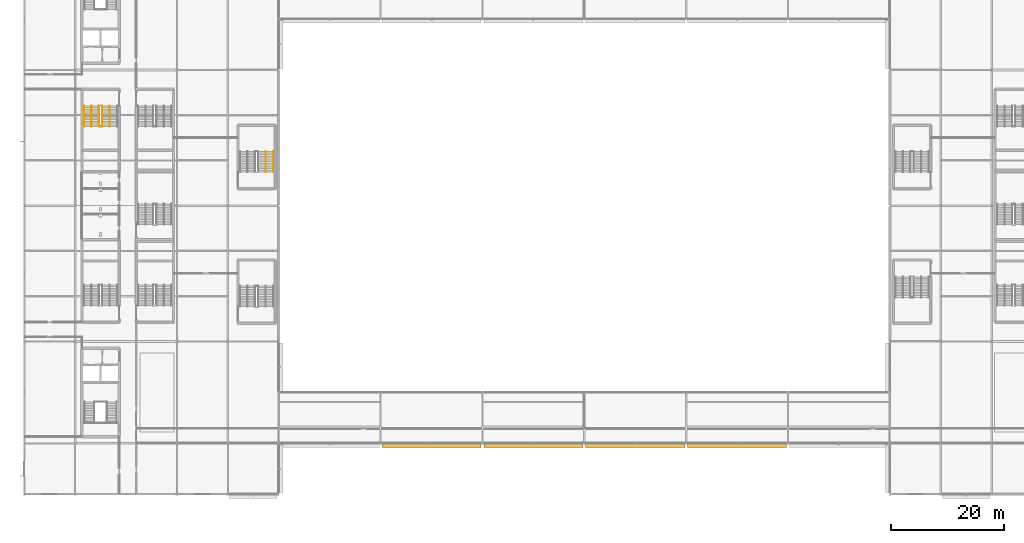
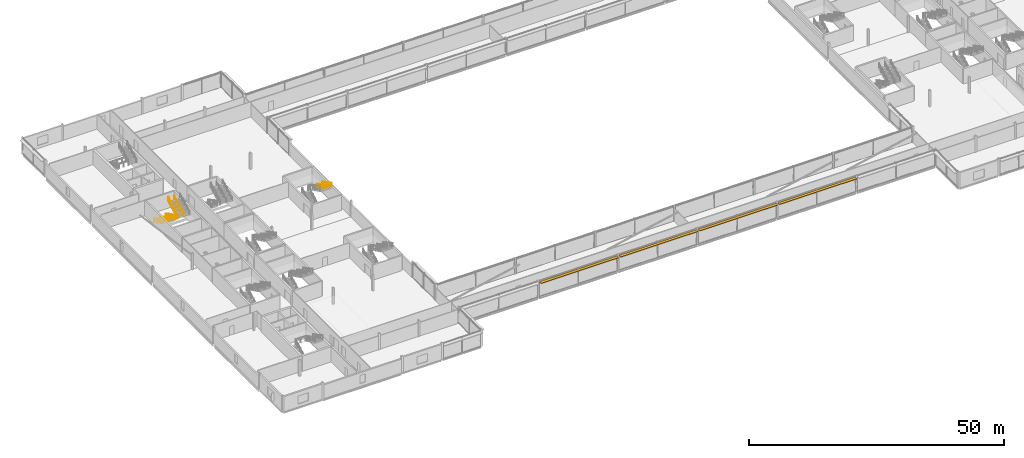
# One storey, part 91 of 98: 6 railings, 4 shading devices.
"""IFC4 building model written with IfcOpenShell, lengths in metres."""

from ifc_helpers import new_model, si_unit, direction, frame, origin, origin_2d, place, context, subcontext, project, spatial, rectangle, circle, extrude, material, type_object, element, save


model = new_model("IFC4")

# Units and contexts
model_context = context("Model", 3, precision=1e-05, world=origin(), true_north=direction((0.0, 1.0)))
body_context = subcontext(model_context, "Body", "Model", "MODEL_VIEW")
ifc_project = project(units=[si_unit("LENGTHUNIT", "METRE"), si_unit("AREAUNIT", "SQUARE_METRE"), si_unit("VOLUMEUNIT", "CUBIC_METRE"), si_unit("PLANEANGLEUNIT", "RADIAN"), si_unit("MASSUNIT", "GRAM", prefix="KILO")], contexts=[model_context])

# Site, building, storey
site_placement = place(None, origin())
site = spatial("IfcSite", under=ifc_project, at=site_placement, CompositionType="ELEMENT")
building_placement = place(site_placement, origin())
building = spatial("IfcBuilding", under=site, at=building_placement, Name="Kisiwana Market Hall", CompositionType="ELEMENT")
storey_placement = place(building_placement, frame((0.0, 0.0, 29.39990234375)))
storey = spatial("IfcBuildingStorey", under=building, at=storey_placement, Name="L06", CompositionType="ELEMENT", Elevation=29.39990234375)

# Railings
ifc_material_1 = material(Name="Steel S275", Category="steel")
railing_type_1 = type_object("IfcRailingType", Name="RL-GUARD-1100", PredefinedType="GUARDRAIL", material=ifc_material_1)
railing_1_placement = place(storey_placement, frame((13.219970703125, 77.639892578125, 0.0)))
element("IfcRailing", 1, at=railing_1_placement, inside=storey, type_object=railing_type_1, Name="Stair ST-W4-L06 inner-well guardrail (RL-973)", PredefinedType="GUARDRAIL", context=body_context, shape_type="SweptSolid", body=[
    extrude(circle(Radius=0.02392578125, at=origin_2d()), frame((0.0, 0.0, 1.076171875), z_axis=(0.0, -0.882528880096, 0.470258201201), x_axis=(1.0, 0.0, 0.0)), (0.0, 0.0, 1.0), 4.14697265625),
    extrude(circle(Radius=0.02392578125, at=origin_2d()), frame((0.0, -3.659912109375, 3.0263671875), z_axis=(1.0, 0.0, 0.0), x_axis=(0.0, 1.0, 0.0)), (0.0, 0.0, 1.0), 0.56005859375),
    extrude(circle(Radius=0.02392578125, at=origin_2d()), frame((0.56005859375, -3.659912109375, 3.0263671875), z_axis=(0.0, 0.88255331184, 0.47021234752), x_axis=(-1.0, 0.0, 0.0)), (0.0, 0.0, 1.0), 4.14697265625),
    extrude(circle(Radius=0.02099609375, at=origin_2d()), origin(), (0.0, 0.0, 1.0), 1.052001953125),
    extrude(circle(Radius=0.02099609375, at=origin_2d()), frame((0.0, -0.9150390625, 0.487548828125)), (0.0, 0.0, 1.0), 1.052001953125),
    extrude(circle(Radius=0.02099609375, at=origin_2d()), frame((0.0, -1.830078125, 0.97509765625)), (0.0, 0.0, 1.0), 1.052001953125),
    extrude(circle(Radius=0.02099609375, at=origin_2d()), frame((0.0, -2.744873046875, 1.462646484375)), (0.0, 0.0, 1.0), 1.052001953125),
    extrude(circle(Radius=0.02099609375, at=origin_2d()), frame((0.0, -3.659912109375, 1.9501953125)), (0.0, 0.0, 1.0), 1.052001953125),
    extrude(circle(Radius=0.02099609375, at=origin_2d()), frame((0.56005859375, -3.659912109375, 1.9501953125)), (0.0, 0.0, 1.0), 1.052001953125),
    extrude(circle(Radius=0.02099609375, at=origin_2d()), frame((0.56005859375, -2.744873046875, 2.437744140625)), (0.0, 0.0, 1.0), 1.052001953125),
    extrude(circle(Radius=0.02099609375, at=origin_2d()), frame((0.56005859375, -1.830078125, 2.92529296875)), (0.0, 0.0, 1.0), 1.052001953125),
    extrude(circle(Radius=0.02099609375, at=origin_2d()), frame((0.56005859375, -0.9150390625, 3.41259765625)), (0.0, 0.0, 1.0), 1.052001953125),
    extrude(circle(Radius=0.02099609375, at=origin_2d()), frame((0.56005859375, 0.0, 3.900146484375)), (0.0, 0.0, 1.0), 1.052001953125),
])
ifc_material_2 = material(Name="Steel S275", Category="steel")
railing_type_2 = type_object("IfcRailingType", Name="RL-HAND-900", PredefinedType="HANDRAIL", material=ifc_material_2)
for number, where, name in (
    (2, (10.570068359375, 77.639892578125, 0.0), "Stair ST-W4-L06 flight 1 handrail (RL-974)"),
    (3, (11.889892578125, 77.639892578125, 0.0), "Stair ST-W4-L06 flight 1 intermediate handrail (RL-976)"),
):
    element("IfcRailing", number, at=place(storey_placement, frame(where)), inside=storey, type_object=railing_type_2, Name=name, PredefinedType="HANDRAIL", context=body_context, shape_type="SweptSolid", body=[
        extrude(circle(Radius=0.02392578125, at=origin_2d()), frame((0.0, 0.0, 0.8759765625), z_axis=(0.0, -0.882528880096, 0.470258201201), x_axis=(1.0, 0.0, 0.0)), (0.0, 0.0, 1.0), 4.14697265625),
        extrude(circle(Radius=0.02099609375, at=origin_2d()), origin(), (0.0, 0.0, 1.0), 0.851806640625),
        extrude(circle(Radius=0.02099609375, at=origin_2d()), frame((0.0, -0.9150390625, 0.487548828125)), (0.0, 0.0, 1.0), 0.851806640625),
        extrude(circle(Radius=0.02099609375, at=origin_2d()), frame((0.0, -1.830078125, 0.97509765625)), (0.0, 0.0, 1.0), 0.851806640625),
        extrude(circle(Radius=0.02099609375, at=origin_2d()), frame((0.0, -2.744873046875, 1.462646484375)), (0.0, 0.0, 1.0), 0.851806640625),
        extrude(circle(Radius=0.02099609375, at=origin_2d()), frame((0.0, -3.659912109375, 1.9501953125)), (0.0, 0.0, 1.0), 0.851806640625),
    ])
railing_2_placement = place(storey_placement, frame((15.110107421875, 73.97998046875, 1.9501953125)))
element("IfcRailing", 4, at=railing_2_placement, inside=storey, type_object=railing_type_2, Name="Stair ST-W4-L06 flight 2 intermediate handrail (RL-977)", PredefinedType="HANDRAIL", context=body_context, shape_type="SweptSolid", body=[
    extrude(circle(Radius=0.02392578125, at=origin_2d()), frame((0.0, 0.0, 0.8759765625), z_axis=(0.0, 0.88255331184, 0.47021234752), x_axis=(-1.0, 0.0, 0.0)), (0.0, 0.0, 1.0), 4.14697265625),
    extrude(circle(Radius=0.02099609375, at=origin_2d()), origin(), (0.0, 0.0, 1.0), 0.851806640625),
    extrude(circle(Radius=0.02099609375, at=origin_2d()), frame((0.0, 0.9150390625, 0.487548828125)), (0.0, 0.0, 1.0), 0.851806640625),
    extrude(circle(Radius=0.02099609375, at=origin_2d()), frame((0.0, 1.830078125, 0.97509765625)), (0.0, 0.0, 1.0), 0.851806640625),
    extrude(circle(Radius=0.02099609375, at=origin_2d()), frame((0.0, 2.744873046875, 1.46240234375)), (0.0, 0.0, 1.0), 0.851806640625),
    extrude(circle(Radius=0.02099609375, at=origin_2d()), frame((0.0, 3.659912109375, 1.949951171875)), (0.0, 0.0, 1.0), 0.851806640625),
])
for number, where, name in (
    (5, (44.0, 69.6201171875, 1.9501953125), "Stair ST-W10-L06 flight 2 handrail (RL-1029)"),
    (6, (42.679931640625, 69.6201171875, 1.9501953125), "Stair ST-W10-L06 flight 2 intermediate handrail (RL-1031)"),
):
    element("IfcRailing", number, at=place(storey_placement, frame(where)), inside=storey, type_object=railing_type_2, Name=name, PredefinedType="HANDRAIL", context=body_context, shape_type="SweptSolid", body=[
        extrude(circle(Radius=0.02392578125, at=origin_2d()), frame((0.0, 0.0, 0.8759765625), z_axis=(0.0, -0.882566327451, 0.470187917379), x_axis=(1.0, 0.0, 0.0)), (0.0, 0.0, 1.0), 4.147216796875),
        extrude(circle(Radius=0.02099609375, at=origin_2d()), origin(), (0.0, 0.0, 1.0), 0.851806640625),
        extrude(circle(Radius=0.02099609375, at=origin_2d()), frame((0.0, -0.9150390625, 0.487548828125)), (0.0, 0.0, 1.0), 0.851806640625),
        extrude(circle(Radius=0.02099609375, at=origin_2d()), frame((0.0, -1.830078125, 0.97509765625)), (0.0, 0.0, 1.0), 0.851806640625),
        extrude(circle(Radius=0.02099609375, at=origin_2d()), frame((0.0, -2.7451171875, 1.46240234375)), (0.0, 0.0, 1.0), 0.851806640625),
        extrude(circle(Radius=0.02099609375, at=origin_2d()), frame((0.0, -3.66015625, 1.949951171875)), (0.0, 0.0, 1.0), 0.851806640625),
    ])

# Shading devices
ifc_material_3 = material(Name="Aluminium alloy 6063-T6", Category="aluminium")
shading_device_type = type_object("IfcShadingDeviceType", Name="SHD-JALOUSIE-H", PredefinedType="JALOUSIE", material=ifc_material_3)
for number, where, z_axis, x_axis, name in (
    (7, (72.0, 17.580078125, 3.43994140625), (0.0, 0.0, 1.0), (1.0, 0.0, 0.0), "Aluminium brise-soleil louvre SHD-131 SD-131"),
    (8, (90.0, 17.580078125, 3.43994140625), (0.0, 0.0, 1.0), (1.0, 0.0, 0.0), "Aluminium brise-soleil louvre SHD-132 SD-132"),
    (9, (108.0, 17.580078125, 3.43994140625), (0.0, 0.0, 1.0), (1.0, 0.0, 0.0), "Aluminium brise-soleil louvre SHD-133 SD-133"),
    (10, (126.0, 17.580078125, 3.43994140625), (0.0, 0.0, 1.0), (1.0, 0.0, 0.0), "Aluminium brise-soleil louvre SHD-134 SD-134"),
):
    element("IfcShadingDevice", number, at=place(storey_placement, frame(where, z_axis=z_axis, x_axis=x_axis)), inside=storey, type_object=shading_device_type, Name=name, PredefinedType="JALOUSIE", context=body_context, shape_type="SweptSolid", body=[
        extrude(rectangle(XDim=17.550048828125, YDim=0.64990234375, at=origin_2d()), origin(), (0.0, 0.0, 1.0), 0.1201171875),
    ])

save(model, "model.ifc")
